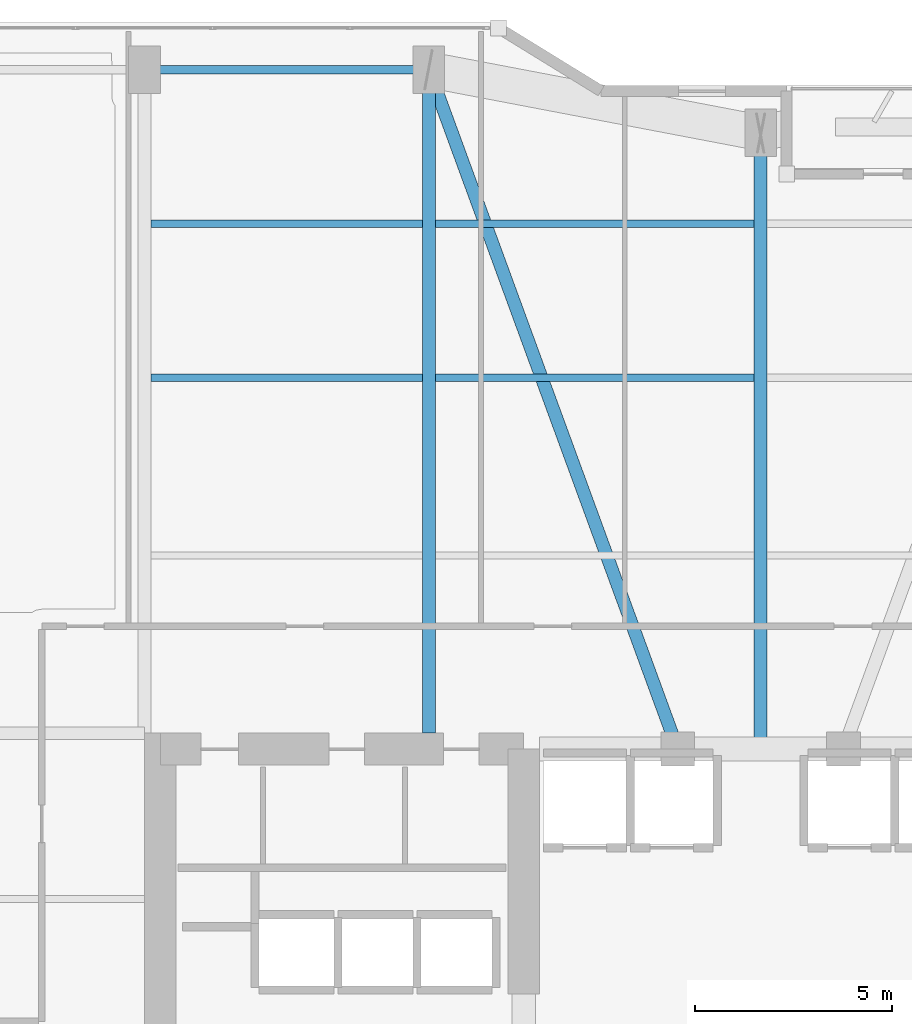
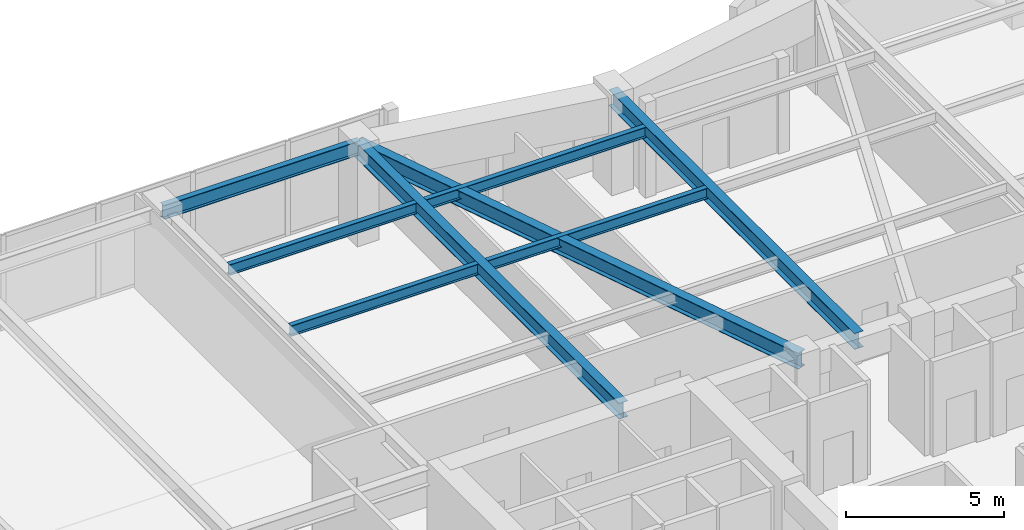
# One storey, part 18 of 30: 8 beams.
"""IFC4 building model written with IfcOpenShell, lengths in metres."""

from ifc_helpers import new_model, si_unit, direction, frame, origin, origin_2d, place, context, subcontext, project, spatial, i_section, extrude, material, material_profile, profile_set, type_object, element, save


model = new_model("IFC4")

# Units and contexts
model_context = context("Model", 3, precision=1e-05, world=origin(), true_north=direction((0.0, 1.0)))
body_context = subcontext(model_context, "Body", "Model", "MODEL_VIEW")
ifc_project = project(units=[si_unit("LENGTHUNIT", "METRE"), si_unit("AREAUNIT", "SQUARE_METRE"), si_unit("VOLUMEUNIT", "CUBIC_METRE"), si_unit("PLANEANGLEUNIT", "RADIAN"), si_unit("MASSUNIT", "GRAM", prefix="KILO")], contexts=[model_context])

# Site, building, storey
site_placement = place(None, origin())
site = spatial("IfcSite", under=ifc_project, at=site_placement, CompositionType="ELEMENT")
building_placement = place(site_placement, origin())
building = spatial("IfcBuilding", under=site, at=building_placement, Name="Kiyonajd Concourse Tower", CompositionType="ELEMENT")
storey_placement = place(building_placement, frame((0.0, 0.0, 170.10009765625)))
storey = spatial("IfcBuildingStorey", under=building, at=storey_placement, Name="L43", CompositionType="ELEMENT", Elevation=170.10009765625)

# Beams
ifc_material = material(Name="Steel ASTM A992 Grade 50", Category="steel")
ifc_material_profile_1 = material_profile(ifc_material, i_section(OverallWidth=0.180908203125, OverallDepth=0.4169921875, WebThickness=0.010986328125, FlangeThickness=0.018310546875, at=origin_2d()), Name="W410X85")
ifc_profile_set_1 = profile_set([ifc_material_profile_1], Name="Steel ASTM A992 Grade 50")
beam_type_1 = type_object("IfcBeamType", Name="BM-JST-410", PredefinedType="JOIST", material=ifc_profile_set_1)
beam_1_placement = place(storey_placement, frame((32.5634765625, 53.39990234375, 3.471435546875), z_axis=(1.0, 0.0, 0.0), x_axis=(0.0, 1.0, 0.0)))
element("IfcBeam", 1, at=beam_1_placement, inside=storey, type_object=beam_type_1, Name="L43 Secondary Floor Joist", PredefinedType="JOIST", context=body_context, shape_type="SweptSolid", body=[
    extrude(i_section(OverallWidth=0.180908203125, OverallDepth=0.4169921875, WebThickness=0.010986328125, FlangeThickness=0.018310546875, at=origin_2d()), origin(), (0.0, 0.0, 1.0), 6.873046875),
])
beam_2_placement = place(storey_placement, frame((39.763427734375, 53.39990234375, 3.471435546875), z_axis=(1.0, 0.0, 0.0), x_axis=(0.0, 1.0, 0.0)))
element("IfcBeam", 2, at=beam_2_placement, inside=storey, type_object=beam_type_1, Name="L43 Secondary Floor Joist", PredefinedType="JOIST", context=body_context, shape_type="SweptSolid", body=[
    extrude(i_section(OverallWidth=0.180908203125, OverallDepth=0.4169921875, WebThickness=0.010986328125, FlangeThickness=0.018310546875, at=origin_2d()), origin(), (0.0, 0.0, 1.0), 8.072998046875),
])
beam_3_placement = place(storey_placement, frame((32.5634765625, 57.300048828125, 3.471435546875), z_axis=(1.0, 0.0, 0.0), x_axis=(0.0, 1.0, 0.0)))
element("IfcBeam", 3, at=beam_3_placement, inside=storey, type_object=beam_type_1, Name="L43 Secondary Floor Joist", PredefinedType="JOIST", context=body_context, shape_type="SweptSolid", body=[
    extrude(i_section(OverallWidth=0.180908203125, OverallDepth=0.4169921875, WebThickness=0.010986328125, FlangeThickness=0.018310546875, at=origin_2d()), origin(), (0.0, 0.0, 1.0), 6.873046875),
])
beam_4_placement = place(storey_placement, frame((39.763427734375, 57.300048828125, 3.471435546875), z_axis=(1.0, 0.0, 0.0), x_axis=(0.0, 1.0, 0.0)))
element("IfcBeam", 4, at=beam_4_placement, inside=storey, type_object=beam_type_1, Name="L43 Secondary Floor Joist", PredefinedType="JOIST", context=body_context, shape_type="SweptSolid", body=[
    extrude(i_section(OverallWidth=0.180908203125, OverallDepth=0.4169921875, WebThickness=0.010986328125, FlangeThickness=0.018310546875, at=origin_2d()), origin(), (0.0, 0.0, 1.0), 8.072998046875),
])
ifc_material_profile_2 = material_profile(ifc_material, i_section(OverallWidth=0.214111328125, OverallDepth=0.549072265625, WebThickness=0.0146484375, FlangeThickness=0.023681640625, at=origin_2d()), Name="W530X138")
ifc_profile_set_2 = profile_set([ifc_material_profile_2], Name="Steel ASTM A992 Grade 50")
beam_type_2 = type_object("IfcBeamType", Name="BM-SPAN-530A", PredefinedType="SPANDREL", material=ifc_profile_set_2)
beam_5_placement = place(storey_placement, frame((39.60009765625, 61.199951171875, 3.405517578125), z_axis=(-1.0, 0.0, 0.0), x_axis=(0.0, -1.0, 0.0)))
element("IfcBeam", 5, at=beam_5_placement, inside=storey, type_object=beam_type_2, Name="L43 Perimeter Bundled Tube Spandrel", PredefinedType="SPANDREL", context=body_context, shape_type="SweptSolid", body=[
    extrude(i_section(OverallWidth=0.214111328125, OverallDepth=0.549072265625, WebThickness=0.0146484375, FlangeThickness=0.023681640625, at=origin_2d()), origin(), (0.0, 0.0, 1.0), 7.2001953125),
])
ifc_material_profile_3 = material_profile(ifc_material, i_section(OverallWidth=0.326904296875, OverallDepth=0.6220703125, WebThickness=0.015380859375, FlangeThickness=0.0244140625, at=origin_2d()), Name="W610X195")
ifc_profile_set_3 = profile_set([ifc_material_profile_3], Name="Steel ASTM A992 Grade 50")
beam_type_3 = type_object("IfcBeamType", Name="BM-TWR-610A", PredefinedType="BEAM", material=ifc_profile_set_3)
beam_6_placement = place(storey_placement, frame((39.60009765625, 61.199951171875, 3.368896484375), z_axis=(0.343925269715, -0.938997022813, 0.0), x_axis=(0.938997022813, 0.343925269715, 0.0)))
element("IfcBeam", 6, at=beam_6_placement, inside=storey, type_object=beam_type_3, Name="L43 Core Tie Girder", PredefinedType="BEAM", context=body_context, shape_type="SweptSolid", body=[
    extrude(i_section(OverallWidth=0.326904296875, OverallDepth=0.6220703125, WebThickness=0.015380859375, FlangeThickness=0.0244140625, at=origin_2d()), origin(), (0.0, 0.0, 1.0), 18.3173828125),
])
beam_7_placement = place(storey_placement, frame((39.60009765625, 44.39990234375, 3.368896484375), z_axis=(0.0, 1.0, 0.0), x_axis=(-1.0, 0.0, 0.0)))
element("IfcBeam", 7, at=beam_7_placement, inside=storey, type_object=beam_type_3, Name="L43 North Lease Girder", PredefinedType="BEAM", context=body_context, shape_type="SweptSolid", body=[
    extrude(i_section(OverallWidth=0.326904296875, OverallDepth=0.6220703125, WebThickness=0.015380859375, FlangeThickness=0.0244140625, at=origin_2d()), origin(), (0.0, 0.0, 1.0), 16.800048828125),
])
beam_8_placement = place(storey_placement, frame((48.0, 44.0, 3.368896484375), z_axis=(0.0, 1.0, 0.0), x_axis=(-1.0, 0.0, 0.0)))
element("IfcBeam", 8, at=beam_8_placement, inside=storey, type_object=beam_type_3, Name="L43 North Ribbon Girder", PredefinedType="BEAM", context=body_context, shape_type="SweptSolid", body=[
    extrude(i_section(OverallWidth=0.326904296875, OverallDepth=0.6220703125, WebThickness=0.015380859375, FlangeThickness=0.0244140625, at=origin_2d()), origin(), (0.0, 0.0, 1.0), 15.60009765625),
])

save(model, "model.ifc")
